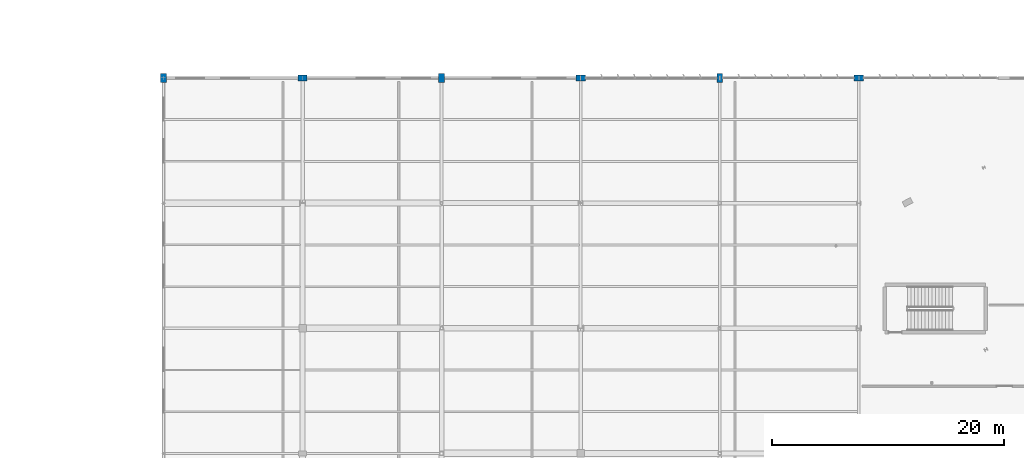
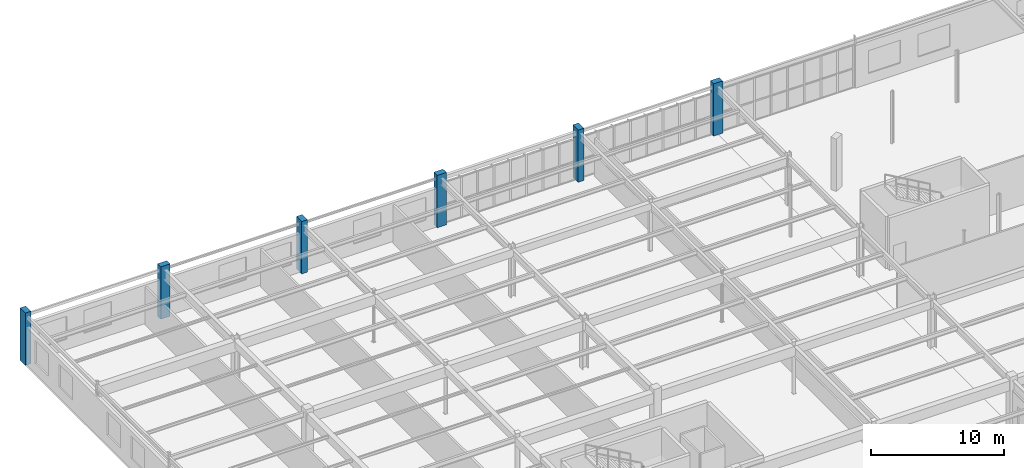
# One storey, part 61 of 199: 6 columns.
"""IFC4 building model written with IfcOpenShell, lengths in metres."""

from ifc_helpers import new_model, si_unit, direction, frame, origin, origin_2d, place, context, subcontext, project, spatial, rectangle, extrude, material, material_profile, profile_set, type_object, element, save


model = new_model("IFC4")

# Units and contexts
model_context = context("Model", 3, precision=1e-05, world=origin(), true_north=direction((0.0, 1.0)))
body_context = subcontext(model_context, "Body", "Model", "MODEL_VIEW")
ifc_project = project(units=[si_unit("LENGTHUNIT", "METRE"), si_unit("AREAUNIT", "SQUARE_METRE"), si_unit("VOLUMEUNIT", "CUBIC_METRE"), si_unit("PLANEANGLEUNIT", "RADIAN"), si_unit("MASSUNIT", "GRAM", prefix="KILO")], contexts=[model_context])

# Site, building, storey
site_placement = place(None, origin())
site = spatial("IfcSite", under=ifc_project, at=site_placement, CompositionType="ELEMENT")
building_placement = place(site_placement, origin())
building = spatial("IfcBuilding", under=site, at=building_placement, Name="Tarnwether General Hospital", CompositionType="ELEMENT")
storey_placement = place(building_placement, origin())
storey = spatial("IfcBuildingStorey", under=building, at=storey_placement, Name="L00", CompositionType="ELEMENT", Elevation=0.0)

# Columns
ifc_material = material(Name="Concrete 50 MPa", Category="concrete")
ifc_material_profile = material_profile(ifc_material, rectangle(XDim=0.5, YDim=0.800048828125, at=origin_2d()), Name="RC-PIL-500x800")
ifc_profile_set = profile_set([ifc_material_profile], Name="Concrete 50 MPa")
column_type = type_object("IfcColumnType", Name="COL-23", PredefinedType="PILASTER", material=ifc_profile_set)
for number, where, z_axis, x_axis, name in (
    (1, (0.0, 126.0, 0.0), (0.0, 0.0, 1.0), (1.0, 0.0, 0.0), "Column COLG-L00-0_12600"),
    (2, (12.0, 126.0, 0.0), (0.0, 0.0, 1.0), (0.0, 1.0, 0.0), "Column COLG-L00-1200_12600"),
    (3, (24.0, 126.0, 0.0), (0.0, 0.0, 1.0), (1.0, 0.0, 0.0), "Column COLG-L00-2400_12600"),
    (4, (36.0, 126.0, 0.0), (0.0, 0.0, 1.0), (0.0, 1.0, 0.0), "Column COLG-L00-3600_12600"),
    (5, (48.0, 126.0, 0.0), (0.0, 0.0, 1.0), (1.0, 0.0, 0.0), "Column COLG-L00-4800_12600"),
    (6, (60.0, 126.0, 0.0), (0.0, 0.0, 1.0), (0.0, 1.0, 0.0), "Column COLG-L00-6000_12600"),
):
    element("IfcColumn", number, at=place(storey_placement, frame(where, z_axis=z_axis, x_axis=x_axis)), inside=storey, type_object=column_type, Name=name, PredefinedType="PILASTER", context=body_context, shape_type="SweptSolid", body=[
        extrude(rectangle(XDim=0.5, YDim=0.800048828125, at=origin_2d()), origin(), (0.0, 0.0, 1.0), 4.800048828125),
    ])

save(model, "model.ifc")
